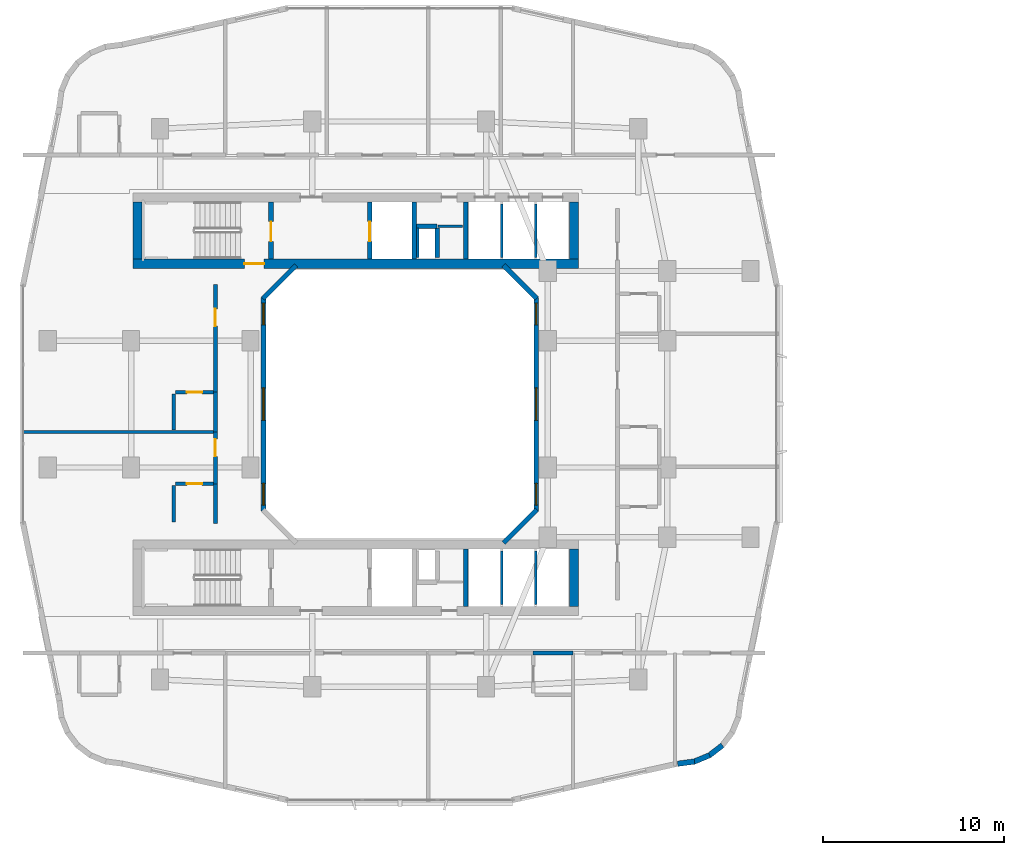
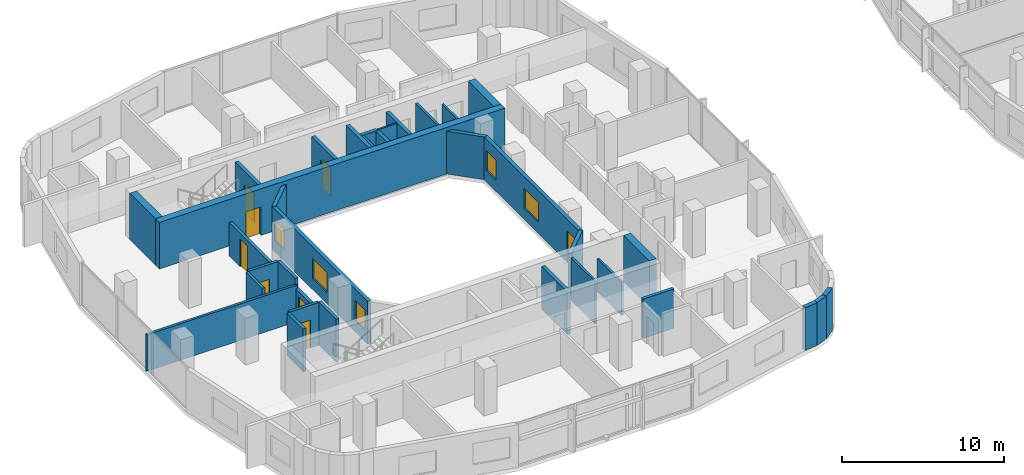
# One storey, part 14 of 27: 35 walls, 7 doors, 6 windows, 13 openings.
"""IFC4 building model written with IfcOpenShell, lengths in metres."""

from ifc_helpers import new_model, si_unit, derived_unit, direction, frame, frame_2d, origin, place, context, subcontext, project, spatial, rectangle, extrude, material, layer, layer_set, type_object, element, fill, save


model = new_model("IFC4")

# Units and contexts
model_context = context("Model", 3, precision=1e-05, world=origin(), true_north=direction((0.0, 1.0)))
body_context = subcontext(model_context, "Body", "Model", "MODEL_VIEW")
ifc_project = project(units=[si_unit("LENGTHUNIT", "METRE"), si_unit("AREAUNIT", "SQUARE_METRE"), si_unit("VOLUMEUNIT", "CUBIC_METRE"), si_unit("PLANEANGLEUNIT", "RADIAN"), si_unit("MASSUNIT", "GRAM", prefix="KILO"), derived_unit("THERMALTRANSMITTANCEUNIT", [(si_unit("POWERUNIT", "WATT"), 1), (si_unit("LENGTHUNIT", "METRE"), -2), (si_unit("THERMODYNAMICTEMPERATUREUNIT", "KELVIN"), -1)])], contexts=[model_context])

# Site, building, storey
site_placement = place(None, origin())
site = spatial("IfcSite", under=ifc_project, at=site_placement, CompositionType="ELEMENT")
building_placement = place(site_placement, origin())
building = spatial("IfcBuilding", under=site, at=building_placement, Name="Kivonza Crest Hotel", CompositionType="ELEMENT")
storey_placement = place(building_placement, frame((0.0, 0.0, 73.0)))
storey = spatial("IfcBuildingStorey", under=building, at=storey_placement, Name="L19", CompositionType="ELEMENT", Elevation=73.0)

# Walls
ifc_material_1 = material(Name="High-density acoustic masonry inter-tenancy wall", Category="masonry")
ifc_layer_1 = layer(ifc_material_1, 0.179931640625)
ifc_layer_set_1 = layer_set([ifc_layer_1], Name="High-density acoustic masonry inter-tenancy wall")
wall_type_1 = type_object("IfcWallType", Name="WL-ACOU-180", PredefinedType="SOLIDWALL", material=ifc_layer_set_1)
wall_1_placement = place(storey_placement, frame((0.139892578125, 23.4599609375, 0.0), z_axis=(0.0, 0.0, 1.0), x_axis=(1.0, 0.0, 0.0)))
element("IfcWall", 1, at=wall_1_placement, inside=storey, type_object=wall_type_1, Name="L19 interior partition WA-L19-T1W-DIV1", PredefinedType="SOLIDWALL", context=body_context, shape_type="SweptSolid", body=[
    extrude(rectangle(XDim=10.710205078125, YDim=0.179931640625, at=frame_2d((5.35498046875, 0.0))), origin(), (0.0, 0.0, 1.0), 2.7451171875),
])
ifc_material_2 = material(Name="Autoclaved aerated concrete blockwork", Category="masonry")
ifc_layer_2 = layer(ifc_material_2, 0.219970703125)
ifc_layer_set_2 = layer_set([ifc_layer_2], Name="Autoclaved aerated concrete blockwork")
wall_type_2 = type_object("IfcWallType", Name="WL-ACOU-220", PredefinedType="SOLIDWALL", material=ifc_layer_set_2)
wall_2_placement = place(storey_placement, frame((28.39990234375, 11.25, 0.0), z_axis=(0.0, 0.0, 1.0), x_axis=(1.0, 0.0, 0.0)))
element("IfcWall", 2, at=wall_2_placement, inside=storey, type_object=wall_type_2, Name="L19 interior partition WA-L19-S03-BCORR", PredefinedType="SOLIDWALL", context=body_context, shape_type="SweptSolid", body=[
    extrude(rectangle(XDim=2.2001953125, YDim=0.219970703125, at=frame_2d((1.10009765625, 0.0))), origin(), (0.0, 0.0, 1.0), 2.955078125),
])
wall_3_placement = place(storey_placement, frame((10.85009765625, 18.39990234375, 0.0), z_axis=(0.0, 0.0, 1.0), x_axis=(0.0, 1.0, 0.0)))
element("IfcWall", 3, at=wall_3_placement, inside=storey, type_object=wall_type_2, Name="L19 interior partition WA-L19-W04-BCORR", PredefinedType="SOLIDWALL", context=body_context, shape_type="SweptSolid", body=[
    extrude(rectangle(XDim=2.2001953125, YDim=0.219970703125, at=frame_2d((1.10009765625, 0.0))), origin(), (0.0, 0.0, 1.0), 3.219970703125),
])

# Wall, opening, door
wall_4_placement = place(storey_placement, frame((10.85009765625, 20.60009765625, 0.0), z_axis=(0.0, 0.0, 1.0), x_axis=(0.0, 1.0, 0.0)))
wall_4 = element("IfcWall", 4, at=wall_4_placement, inside=storey, type_object=wall_type_2, Name="L19 interior partition WA-L19-W04-MCORR", PredefinedType="SOLIDWALL", context=body_context, shape_type="SweptSolid", body=[
    extrude(rectangle(XDim=2.85986328125, YDim=0.219970703125, at=frame_2d((1.429931640625, 0.0))), origin(), (0.0, 0.0, 1.0), 2.4951171875),
])
opening_1_placement = place(wall_4_placement, frame((1.514892578125, 0.0, 0.0)))
opening_1 = element("IfcOpeningElement", 5, at=opening_1_placement, cuts=wall_4, Name="Opening DU-60", PredefinedType="OPENING", context=body_context, shape_type="SweptSolid", body=[
    extrude(rectangle(XDim=0.949951171875, YDim=2.10009765625, at=frame_2d((0.47509765625, 1.050048828125))), frame((0.0, 0.1201171875, 0.0), z_axis=(0.0, -1.0, 0.0), x_axis=(1.0, 0.0, 0.0)), (0.0, 0.0, 1.0), 0.239990234375),
])
ifc_material_3 = material(Name="Hardwood timber oak", Category="wood")
door_type_1 = type_object("IfcDoorType", Name="DR-UNIT-950", OperationType="NOTDEFINED", PredefinedType="DOOR", material=ifc_material_3)
door_1_placement = place(opening_1_placement, origin())
door_1 = element("IfcDoor", 6, at=door_1_placement, inside=storey, type_object=door_type_1, Name="L19 W04 guest unit entrance fire door", OperationType="SINGLE_SWING_RIGHT", OverallHeight=2.10009765625, OverallWidth=0.949951171875, PredefinedType="DOOR", context=body_context, shape_type="SweptSolid", body=[
    extrude(rectangle(XDim=0.949951171875, YDim=2.10009765625, at=frame_2d((0.47509765625, 1.050048828125))), frame((0.0, 0.02490234375, 0.0), z_axis=(0.0, -1.0, 0.0), x_axis=(1.0, 0.0, 0.0)), (0.0, 0.0, 1.0), 0.050048828125),
])
fill(opening_1, door_1)

# Wall
wall_5_placement = place(storey_placement, frame((10.85009765625, 23.4599609375, 0.0), z_axis=(0.0, 0.0, 1.0), x_axis=(0.0, 1.0, 0.0)))
element("IfcWall", 7, at=wall_5_placement, inside=storey, type_object=wall_type_2, Name="L19 interior partition WA-L19-W05-BCORR", PredefinedType="SOLIDWALL", context=body_context, shape_type="SweptSolid", body=[
    extrude(rectangle(XDim=2.199951171875, YDim=0.219970703125, at=frame_2d((1.10009765625, 0.0))), origin(), (0.0, 0.0, 1.0), 3.219970703125),
])

# Wall, opening, door
wall_6_placement = place(storey_placement, frame((10.85009765625, 25.659912109375, 0.0), z_axis=(0.0, 0.0, 1.0), x_axis=(0.0, 1.0, 0.0)))
wall_6 = element("IfcWall", 8, at=wall_6_placement, inside=storey, type_object=wall_type_2, Name="L19 interior partition WA-L19-W05-MCORR", PredefinedType="SOLIDWALL", context=body_context, shape_type="SweptSolid", body=[
    extrude(rectangle(XDim=5.940185546875, YDim=0.219970703125, at=frame_2d((2.97021484375, 0.0))), origin(), (0.0, 0.0, 1.0), 2.4951171875),
])
opening_2_placement = place(wall_6_placement, frame((3.64501953125, 0.0, 0.0)))
opening_2 = element("IfcOpeningElement", 9, at=opening_2_placement, cuts=wall_6, Name="Opening DU-60", PredefinedType="OPENING", context=body_context, shape_type="SweptSolid", body=[
    extrude(rectangle(XDim=0.949951171875, YDim=2.10009765625, at=frame_2d((0.47509765625, 1.050048828125))), frame((0.0, 0.1201171875, 0.0), z_axis=(0.0, -1.0, 0.0), x_axis=(1.0, 0.0, 0.0)), (0.0, 0.0, 1.0), 0.239990234375),
])
door_2_placement = place(opening_2_placement, origin())
door_2 = element("IfcDoor", 10, at=door_2_placement, inside=storey, type_object=door_type_1, Name="L19 W05 guest unit entrance fire door", OperationType="SINGLE_SWING_LEFT", OverallHeight=2.10009765625, OverallWidth=0.949951171875, PredefinedType="DOOR", context=body_context, shape_type="SweptSolid", body=[
    extrude(rectangle(XDim=0.949951171875, YDim=2.10009765625, at=frame_2d((0.47509765625, 1.050048828125))), frame((0.0, 0.02490234375, 0.0), z_axis=(0.0, -1.0, 0.0), x_axis=(1.0, 0.0, 0.0)), (0.0, 0.0, 1.0), 0.050048828125),
])
fill(opening_2, door_2)

ifc_material_4 = material(Name="Concrete C60/75", Category="concrete")
ifc_layer_3 = layer(ifc_material_4, 0.5)
ifc_layer_set_3 = layer_set([ifc_layer_3], Name="Concrete C60/75")
wall_type_3 = type_object("IfcWallType", Name="WL-CORE-500", PredefinedType="SHEAR", material=ifc_layer_set_3)
wall_7_placement = place(storey_placement, frame((6.300048828125, 32.75, 0.0), z_axis=(0.0, 0.0, 1.0), x_axis=(1.0, 0.0, 0.0)))
wall_7 = element("IfcWall", 11, at=wall_7_placement, inside=storey, type_object=wall_type_3, Name="Core wall T1-N South L19", PredefinedType="SHEAR", context=body_context, shape_type="SweptSolid", body=[
    extrude(rectangle(XDim=24.599853515625, YDim=0.5, at=frame_2d((12.2998046875, 0.0))), origin(), (0.0, 0.0, 1.0), 3.5),
])
opening_3_placement = place(wall_7_placement, frame((6.14990234375, 0.0, 0.0)))
opening_3 = element("IfcOpeningElement", 12, at=opening_3_placement, cuts=wall_7, Name="Opening DF-120", PredefinedType="OPENING", context=body_context, shape_type="SweptSolid", body=[
    extrude(rectangle(XDim=1.10009765625, YDim=2.14990234375, at=frame_2d((0.550048828125, 1.074951171875))), frame((0.0, 0.260009765625, 0.0), z_axis=(0.0, -1.0, 0.0), x_axis=(1.0, 0.0, 0.0)), (0.0, 0.0, 1.0), 0.52001953125),
])
ifc_material_5 = material(Name="Galvanised steel", Category="steel")
door_type_2 = type_object("IfcDoorType", Name="DR-FD120-1100", OperationType="NOTDEFINED", PredefinedType="DOOR", material=ifc_material_5)
door_3_placement = place(opening_3_placement, origin())
door_3 = element("IfcDoor", 13, at=door_3_placement, inside=storey, type_object=door_type_2, Name="L19 West corridor stair access fire door", OperationType="SINGLE_SWING_LEFT", OverallHeight=2.14990234375, OverallWidth=1.10009765625, PredefinedType="DOOR", context=body_context, shape_type="SweptSolid", body=[
    extrude(rectangle(XDim=1.10009765625, YDim=2.14990234375, at=frame_2d((0.550048828125, 1.074951171875))), frame((0.0, 0.02490234375, 0.0), z_axis=(0.0, -1.0, 0.0), x_axis=(1.0, 0.0, 0.0)), (0.0, 0.0, 1.0), 0.050048828125),
])
fill(opening_3, door_3)

# Walls
for number, where, z_axis, x_axis, name in (
    (14, (6.550048828125, 33.0, 0.0), (0.0, 0.0, 1.0), (0.0, 1.0, 0.0), "Core wall T1-N West L19"),
    (15, (30.64990234375, 33.0, 0.0), (0.0, 0.0, 1.0), (0.0, 1.0, 0.0), "Core wall T1-N East L19"),
    (16, (30.64990234375, 13.840087890625, 0.0), (0.0, 0.0, 1.0), (0.0, 1.0, 0.0), "Core wall T1-S East L19"),
):
    element("IfcWall", number, at=place(storey_placement, frame(where, z_axis=z_axis, x_axis=x_axis)), inside=storey, type_object=wall_type_3, Name=name, PredefinedType="SHEAR", context=body_context, shape_type="SweptSolid", body=[
        extrude(rectangle(XDim=3.159912109375, YDim=0.5, at=frame_2d((1.580078125, 0.0))), origin(), (0.0, 0.0, 1.0), 3.5),
    ])
ifc_material_6 = material(Name="Precast concrete C40/50", Category="concrete")
ifc_layer_4 = layer(ifc_material_6, 0.260009765625)
ifc_layer_set_4 = layer_set([ifc_layer_4], Name="Precast concrete C40/50")
wall_type_4 = type_object("IfcWallType", Name="WL-EXT-260", PredefinedType="STANDARD", material=ifc_layer_set_4)
wall_8_placement = place(storey_placement, frame((26.761962890625, 17.337890625, 0.0), z_axis=(0.0, 0.0, 1.0), x_axis=(0.707059717605, 0.707153841636, 0.0)))
element("IfcWall", 17, at=wall_8_placement, inside=storey, type_object=wall_type_4, Name="L19 T1 light-well exterior wall 2", PredefinedType="STANDARD", context=body_context, shape_type="SweptSolid", body=[
    extrude(rectangle(XDim=2.59375, YDim=0.260009765625, at=frame_2d((1.296875, 0.0))), origin(), (0.0, 0.0, 1.0), 3.219970703125),
])

# Wall, openings, windows
wall_9_placement = place(storey_placement, frame((28.570068359375, 19.110107421875, 0.0), z_axis=(0.0, 0.0, 1.0), x_axis=(0.0, 1.0, 0.0)))
wall_9 = element("IfcWall", 18, at=wall_9_placement, inside=storey, type_object=wall_type_4, Name="L19 T1 light-well exterior wall 3", PredefinedType="STANDARD", context=body_context, shape_type="SweptSolid", body=[
    extrude(rectangle(XDim=11.77978515625, YDim=0.260009765625, at=frame_2d((5.889892578125, 0.0))), origin(), (0.0, 0.0, 1.0), 3.219970703125),
])
opening_4_placement = place(wall_9_placement, frame((0.318115234375, 0.0, 0.85009765625)))
opening_4 = element("IfcOpeningElement", 19, at=opening_4_placement, cuts=wall_9, Name="Opening WN-01", PredefinedType="OPENING", context=body_context, shape_type="SweptSolid", body=[
    extrude(rectangle(XDim=1.199951171875, YDim=1.5, at=frame_2d((0.60009765625, 0.75))), frame((0.0, 0.14013671875, 0.0), z_axis=(0.0, -1.0, 0.0), x_axis=(1.0, 0.0, 0.0)), (0.0, 0.0, 1.0), 0.280029296875),
])
opening_5_placement = place(wall_9_placement, frame((4.989990234375, 0.0, 0.85009765625)))
opening_5 = element("IfcOpeningElement", 20, at=opening_5_placement, cuts=wall_9, Name="Opening WN-03", PredefinedType="OPENING", context=body_context, shape_type="SweptSolid", body=[
    extrude(rectangle(XDim=1.800048828125, YDim=1.5, at=frame_2d((0.89990234375, 0.75))), frame((0.0, 0.14013671875, 0.0), z_axis=(0.0, -1.0, 0.0), x_axis=(1.0, 0.0, 0.0)), (0.0, 0.0, 1.0), 0.280029296875),
])
opening_6_placement = place(wall_9_placement, frame((10.262939453125, 0.0, 0.85009765625)))
opening_6 = element("IfcOpeningElement", 21, at=opening_6_placement, cuts=wall_9, Name="Opening WN-01", PredefinedType="OPENING", context=body_context, shape_type="SweptSolid", body=[
    extrude(rectangle(XDim=1.199951171875, YDim=1.5, at=frame_2d((0.60009765625, 0.75))), frame((0.0, 0.14013671875, 0.0), z_axis=(0.0, -1.0, 0.0), x_axis=(1.0, 0.0, 0.0)), (0.0, 0.0, 1.0), 0.280029296875),
])
ifc_material_7 = material(Name="Thermally broken bronze aluminium and low-E double glazing", Category="aluminium")
window_type_1 = type_object("IfcWindowType", Name="WN-120x150", PartitioningType="SINGLE_PANEL", PredefinedType="WINDOW", material=ifc_material_7)
window_1_placement = place(opening_4_placement, origin())
window_1 = element("IfcWindow", 22, at=window_1_placement, inside=storey, type_object=window_type_1, Name="L19 T1 light-well window 3 bay 1", OverallHeight=1.5, OverallWidth=1.199951171875, PartitioningType="SINGLE_PANEL", PredefinedType="WINDOW", context=body_context, shape_type="SweptSolid", body=[
    extrude(rectangle(XDim=1.199951171875, YDim=1.5, at=frame_2d((0.60009765625, 0.75))), frame((0.0, 0.030029296875, 0.0), z_axis=(0.0, -1.0, 0.0), x_axis=(1.0, 0.0, 0.0)), (0.0, 0.0, 1.0), 0.06005859375),
])
fill(opening_4, window_1)
window_2_placement = place(opening_6_placement, origin())
window_2 = element("IfcWindow", 23, at=window_2_placement, inside=storey, type_object=window_type_1, Name="L19 T1 light-well window 3 bay 3", OverallHeight=1.5, OverallWidth=1.199951171875, PartitioningType="SINGLE_PANEL", PredefinedType="WINDOW", context=body_context, shape_type="SweptSolid", body=[
    extrude(rectangle(XDim=1.199951171875, YDim=1.5, at=frame_2d((0.60009765625, 0.75))), frame((0.0, 0.030029296875, 0.0), z_axis=(0.0, -1.0, 0.0), x_axis=(1.0, 0.0, 0.0)), (0.0, 0.0, 1.0), 0.06005859375),
])
fill(opening_6, window_2)
window_type_2 = type_object("IfcWindowType", Name="WN-180x150", PartitioningType="DOUBLE_PANEL_VERTICAL", PredefinedType="WINDOW", material=ifc_material_7)
window_3_placement = place(opening_5_placement, origin())
window_3 = element("IfcWindow", 24, at=window_3_placement, inside=storey, type_object=window_type_2, Name="L19 T1 light-well window 3 bay 2", OverallHeight=1.5, OverallWidth=1.800048828125, PartitioningType="SINGLE_PANEL", PredefinedType="WINDOW", context=body_context, shape_type="SweptSolid", body=[
    extrude(rectangle(XDim=1.800048828125, YDim=1.5, at=frame_2d((0.89990234375, 0.75))), frame((0.0, 0.030029296875, 0.0), z_axis=(0.0, -1.0, 0.0), x_axis=(1.0, 0.0, 0.0)), (0.0, 0.0, 1.0), 0.06005859375),
])
fill(opening_5, window_3)

# Walls
wall_10_placement = place(storey_placement, frame((28.595947265625, 30.827880859375, 0.0), z_axis=(0.0, 0.0, 1.0), x_axis=(-0.707059717605, 0.707153841636, 0.0)))
element("IfcWall", 25, at=wall_10_placement, inside=storey, type_object=wall_type_4, Name="L19 T1 light-well exterior wall 4", PredefinedType="STANDARD", context=body_context, shape_type="SweptSolid", body=[
    extrude(rectangle(XDim=2.59375, YDim=0.260009765625, at=frame_2d((1.296875, 0.0))), origin(), (0.0, 0.0, 1.0), 3.219970703125),
])
wall_11_placement = place(storey_placement, frame((15.318115234375, 32.662109375, 0.0), z_axis=(0.0, 0.0, 1.0), x_axis=(-0.707106781187, -0.707106781187, 0.0)))
element("IfcWall", 26, at=wall_11_placement, inside=storey, type_object=wall_type_4, Name="L19 T1 light-well exterior wall 6", PredefinedType="STANDARD", context=body_context, shape_type="SweptSolid", body=[
    extrude(rectangle(XDim=2.593994140625, YDim=0.260009765625, at=frame_2d((1.296875, 0.0))), origin(), (0.0, 0.0, 1.0), 3.219970703125),
])

# Wall, openings, windows
wall_12_placement = place(storey_placement, frame((13.510009765625, 30.889892578125, 0.0), z_axis=(0.0, 0.0, 1.0), x_axis=(0.0, -1.0, 0.0)))
wall_12 = element("IfcWall", 27, at=wall_12_placement, inside=storey, type_object=wall_type_4, Name="L19 T1 light-well exterior wall 7", PredefinedType="STANDARD", context=body_context, shape_type="SweptSolid", body=[
    extrude(rectangle(XDim=11.77978515625, YDim=0.260009765625, at=frame_2d((5.889892578125, 0.0))), origin(), (0.0, 0.0, 1.0), 3.219970703125),
])
opening_7_placement = place(wall_12_placement, frame((0.318115234375, 0.0, 0.85009765625)))
opening_7 = element("IfcOpeningElement", 28, at=opening_7_placement, cuts=wall_12, Name="Opening WN-01", PredefinedType="OPENING", context=body_context, shape_type="SweptSolid", body=[
    extrude(rectangle(XDim=1.199951171875, YDim=1.5, at=frame_2d((0.60009765625, 0.75))), frame((0.0, 0.14013671875, 0.0), z_axis=(0.0, -1.0, 0.0), x_axis=(1.0, 0.0, 0.0)), (0.0, 0.0, 1.0), 0.280029296875),
])
opening_8_placement = place(wall_12_placement, frame((4.989990234375, 0.0, 0.85009765625)))
opening_8 = element("IfcOpeningElement", 29, at=opening_8_placement, cuts=wall_12, Name="Opening WN-03", PredefinedType="OPENING", context=body_context, shape_type="SweptSolid", body=[
    extrude(rectangle(XDim=1.800048828125, YDim=1.5, at=frame_2d((0.89990234375, 0.75))), frame((0.0, 0.14013671875, 0.0), z_axis=(0.0, -1.0, 0.0), x_axis=(1.0, 0.0, 0.0)), (0.0, 0.0, 1.0), 0.280029296875),
])
opening_9_placement = place(wall_12_placement, frame((10.262939453125, 0.0, 0.85009765625)))
opening_9 = element("IfcOpeningElement", 30, at=opening_9_placement, cuts=wall_12, Name="Opening WN-01", PredefinedType="OPENING", context=body_context, shape_type="SweptSolid", body=[
    extrude(rectangle(XDim=1.199951171875, YDim=1.5, at=frame_2d((0.60009765625, 0.75))), frame((0.0, 0.14013671875, 0.0), z_axis=(0.0, -1.0, 0.0), x_axis=(1.0, 0.0, 0.0)), (0.0, 0.0, 1.0), 0.280029296875),
])
window_4_placement = place(opening_7_placement, origin())
window_4 = element("IfcWindow", 31, at=window_4_placement, inside=storey, type_object=window_type_1, Name="L19 T1 light-well window 7 bay 1", OverallHeight=1.5, OverallWidth=1.199951171875, PartitioningType="SINGLE_PANEL", PredefinedType="WINDOW", context=body_context, shape_type="SweptSolid", body=[
    extrude(rectangle(XDim=1.199951171875, YDim=1.5, at=frame_2d((0.60009765625, 0.75))), frame((0.0, 0.030029296875, 0.0), z_axis=(0.0, -1.0, 0.0), x_axis=(1.0, 0.0, 0.0)), (0.0, 0.0, 1.0), 0.06005859375),
])
fill(opening_7, window_4)
window_5_placement = place(opening_9_placement, origin())
window_5 = element("IfcWindow", 32, at=window_5_placement, inside=storey, type_object=window_type_1, Name="L19 T1 light-well window 7 bay 3", OverallHeight=1.5, OverallWidth=1.199951171875, PartitioningType="SINGLE_PANEL", PredefinedType="WINDOW", context=body_context, shape_type="SweptSolid", body=[
    extrude(rectangle(XDim=1.199951171875, YDim=1.5, at=frame_2d((0.60009765625, 0.75))), frame((0.0, 0.030029296875, 0.0), z_axis=(0.0, -1.0, 0.0), x_axis=(1.0, 0.0, 0.0)), (0.0, 0.0, 1.0), 0.06005859375),
])
fill(opening_9, window_5)
window_6_placement = place(opening_8_placement, origin())
window_6 = element("IfcWindow", 33, at=window_6_placement, inside=storey, type_object=window_type_2, Name="L19 T1 light-well window 7 bay 2", OverallHeight=1.5, OverallWidth=1.800048828125, PartitioningType="SINGLE_PANEL", PredefinedType="WINDOW", context=body_context, shape_type="SweptSolid", body=[
    extrude(rectangle(XDim=1.800048828125, YDim=1.5, at=frame_2d((0.89990234375, 0.75))), frame((0.0, 0.030029296875, 0.0), z_axis=(0.0, -1.0, 0.0), x_axis=(1.0, 0.0, 0.0)), (0.0, 0.0, 1.0), 0.06005859375),
])
fill(opening_8, window_6)

# Walls
ifc_layer_5 = layer(ifc_material_6, 0.300048828125)
ifc_layer_set_5 = layer_set([ifc_layer_5], Name="Precast concrete C40/50")
wall_type_5 = type_object("IfcWallType", Name="WL-EXT-300", PredefinedType="STANDARD", material=ifc_layer_set_5)
wall_13_placement = place(storey_placement, frame((36.3720703125, 5.14794921875, 0.0), z_axis=(0.0, 0.0, 1.0), x_axis=(0.991359246108, 0.131174864804, 0.0)))
element("IfcWall", 34, at=wall_13_placement, inside=storey, type_object=wall_type_5, Name="L19 T1 exterior insulated wall 10", PredefinedType="STANDARD", context=body_context, shape_type="SweptSolid", body=[
    extrude(rectangle(XDim=0.93798828125, YDim=0.300048828125, at=frame_2d((0.468994140625, 0.0))), origin(), (0.0, 0.0, 1.0), 3.219970703125),
])
wall_14_placement = place(storey_placement, frame((37.251953125, 5.251953125, 0.0), z_axis=(0.0, 0.0, 1.0), x_axis=(0.924019948111, 0.382344263057, 0.0)))
element("IfcWall", 35, at=wall_14_placement, inside=storey, type_object=wall_type_5, Name="L19 T1 exterior insulated wall 11", PredefinedType="STANDARD", context=body_context, shape_type="SweptSolid", body=[
    extrude(rectangle(XDim=0.95458984375, YDim=0.300048828125, at=frame_2d((0.477294921875, 0.0))), origin(), (0.0, 0.0, 1.0), 3.219970703125),
])
wall_15_placement = place(storey_placement, frame((38.089111328125, 5.5859375, 0.0), z_axis=(0.0, 0.0, 1.0), x_axis=(0.793573440799, 0.608474481025, 0.0)))
element("IfcWall", 36, at=wall_15_placement, inside=storey, type_object=wall_type_5, Name="L19 T1 exterior insulated wall 12", PredefinedType="STANDARD", context=body_context, shape_type="SweptSolid", body=[
    extrude(rectangle(XDim=0.954833984375, YDim=0.300048828125, at=frame_2d((0.4775390625, 0.0))), origin(), (0.0, 0.0, 1.0), 3.219970703125),
])
ifc_material_8 = material(Name="Concrete blockwork fire-compartment wall", Category="masonry")
ifc_layer_6 = layer(ifc_material_8, 0.25)
ifc_layer_set_6 = layer_set([ifc_layer_6], Name="Concrete blockwork fire-compartment wall")
wall_type_6 = type_object("IfcWallType", Name="WL-FIRE-250", PredefinedType="SOLIDWALL", material=ifc_layer_set_6)
wall_16_placement = place(storey_placement, frame((23.10009765625, 33.10009765625, 0.0), z_axis=(0.0, 0.0, 1.0), x_axis=(0.0, 1.0, 0.0)))
element("IfcWall", 37, at=wall_16_placement, inside=storey, type_object=wall_type_6, Name="L19 interior partition WA-L19-T1-N-MEPR-E", PredefinedType="SOLIDWALL", context=body_context, shape_type="SweptSolid", body=[
    extrude(rectangle(XDim=1.619873046875, YDim=0.25, at=frame_2d((0.81005859375, 0.0))), origin(), (0.0, 0.0, 1.0), 3.219970703125),
])
wall_17_placement = place(storey_placement, frame((21.949951171875, 34.820068359375, 0.0), z_axis=(0.0, 0.0, 1.0), x_axis=(1.0, 0.0, 0.0)))
element("IfcWall", 38, at=wall_17_placement, inside=storey, type_object=wall_type_6, Name="L19 interior partition WA-L19-T1-N-MEPR-H", PredefinedType="SOLIDWALL", context=body_context, shape_type="SweptSolid", body=[
    extrude(rectangle(XDim=1.150146484375, YDim=0.25, at=frame_2d((0.5751953125, 0.0))), origin(), (0.0, 0.0, 1.0), 3.219970703125),
])
ifc_material_9 = material(Name="Metal-stud gypsum board partition", Category="gypsum")
ifc_layer_7 = layer(ifc_material_9, 0.125)
ifc_layer_set_7 = layer_set([ifc_layer_7], Name="Metal-stud gypsum board partition")
wall_type_7 = type_object("IfcWallType", Name="WL-PART-125", PredefinedType="PARTITIONING", material=ifc_layer_set_7)
wall_18_placement = place(storey_placement, frame((23.14990234375, 34.820068359375, 0.0), z_axis=(0.0, 0.0, 1.0), x_axis=(1.0, 0.0, 0.0)))
element("IfcWall", 39, at=wall_18_placement, inside=storey, type_object=wall_type_7, Name="L19 interior partition WP-L19-T1-N-SV2H", PredefinedType="PARTITIONING", context=body_context, shape_type="SweptSolid", body=[
    extrude(rectangle(XDim=1.35009765625, YDim=0.125, at=frame_2d((0.675048828125, 0.0))), origin(), (0.0, 0.0, 1.0), 3.219970703125),
])
ifc_material_10 = material(Name="Twin-stud acoustic gypsum board partition", Category="gypsum")
ifc_layer_8 = layer(ifc_material_10, 0.14990234375)
ifc_layer_set_8 = layer_set([ifc_layer_8], Name="Twin-stud acoustic gypsum board partition")
wall_type_8 = type_object("IfcWallType", Name="WL-PART-150", PredefinedType="PARTITIONING", material=ifc_layer_set_8)
wall_19_placement = place(storey_placement, frame((22.030029296875, 33.10009765625, 0.0), z_axis=(0.0, 0.0, 1.0), x_axis=(0.0, 1.0, 0.0)))
element("IfcWall", 40, at=wall_19_placement, inside=storey, type_object=wall_type_8, Name="L19 interior partition WA-L19-T1-N-MEPR-W", PredefinedType="PARTITIONING", context=body_context, shape_type="SweptSolid", body=[
    extrude(rectangle(XDim=1.619873046875, YDim=0.14990234375, at=frame_2d((0.81005859375, 0.0))), origin(), (0.0, 0.0, 1.0), 3.219970703125),
])
wall_20_placement = place(storey_placement, frame((26.6669921875, 33.10009765625, 0.0), z_axis=(0.0, 0.0, 1.0), x_axis=(0.0, 1.0, 0.0)))
element("IfcWall", 41, at=wall_20_placement, inside=storey, type_object=wall_type_8, Name="L19 interior partition WP-L19-T1-N-BSH-1", PredefinedType="PARTITIONING", context=body_context, shape_type="SweptSolid", body=[
    extrude(rectangle(XDim=2.9599609375, YDim=0.14990234375, at=frame_2d((1.47998046875, 0.0))), origin(), (0.0, 0.0, 1.0), 3.219970703125),
])
wall_21_placement = place(storey_placement, frame((28.532958984375, 33.10009765625, 0.0), z_axis=(0.0, 0.0, 1.0), x_axis=(0.0, 1.0, 0.0)))
element("IfcWall", 42, at=wall_21_placement, inside=storey, type_object=wall_type_8, Name="L19 interior partition WP-L19-T1-N-BSH-2", PredefinedType="PARTITIONING", context=body_context, shape_type="SweptSolid", body=[
    extrude(rectangle(XDim=2.9599609375, YDim=0.14990234375, at=frame_2d((1.47998046875, 0.0))), origin(), (0.0, 0.0, 1.0), 2.4951171875),
])
wall_22_placement = place(storey_placement, frame((26.6669921875, 13.93994140625, 0.0), z_axis=(0.0, 0.0, 1.0), x_axis=(0.0, 1.0, 0.0)))
element("IfcWall", 43, at=wall_22_placement, inside=storey, type_object=wall_type_8, Name="L19 interior partition WP-L19-T1-S-BSH-1", PredefinedType="PARTITIONING", context=body_context, shape_type="SweptSolid", body=[
    extrude(rectangle(XDim=2.9599609375, YDim=0.14990234375, at=frame_2d((1.47998046875, 0.0))), origin(), (0.0, 0.0, 1.0), 3.219970703125),
])
wall_23_placement = place(storey_placement, frame((28.532958984375, 13.93994140625, 0.0), z_axis=(0.0, 0.0, 1.0), x_axis=(0.0, 1.0, 0.0)))
element("IfcWall", 44, at=wall_23_placement, inside=storey, type_object=wall_type_8, Name="L19 interior partition WP-L19-T1-S-BSH-2", PredefinedType="PARTITIONING", context=body_context, shape_type="SweptSolid", body=[
    extrude(rectangle(XDim=2.9599609375, YDim=0.14990234375, at=frame_2d((1.47998046875, 0.0))), origin(), (0.0, 0.0, 1.0), 2.4951171875),
])

# Wall, opening, door
ifc_material_11 = material(Name="Moisture-resistant plumbing chase partition wall", Category="gypsum")
ifc_layer_9 = layer(ifc_material_11, 0.199951171875)
ifc_layer_set_9 = layer_set([ifc_layer_9], Name="Moisture-resistant plumbing chase partition wall")
wall_type_9 = type_object("IfcWallType", Name="WL-PLUMB-200", PredefinedType="PLUMBINGWALL", material=ifc_layer_set_9)
wall_24_placement = place(storey_placement, frame((8.64990234375, 20.60009765625, 0.0), z_axis=(0.0, 0.0, 1.0), x_axis=(1.0, 0.0, 0.0)))
wall_24 = element("IfcWall", 45, at=wall_24_placement, inside=storey, type_object=wall_type_9, Name="L19 interior partition WW-L19-W04-BH", PredefinedType="PLUMBINGWALL", context=body_context, shape_type="SweptSolid", body=[
    extrude(rectangle(XDim=2.10009765625, YDim=0.199951171875, at=frame_2d((1.050048828125, 0.0))), origin(), (0.0, 0.0, 1.0), 3.219970703125),
])
opening_10_placement = place(wall_24_placement, frame((0.625, 0.0, 0.0)))
opening_10 = element("IfcOpeningElement", 46, at=opening_10_placement, cuts=wall_24, Name="Opening DI-85", PredefinedType="OPENING", context=body_context, shape_type="SweptSolid", body=[
    extrude(rectangle(XDim=0.85009765625, YDim=2.10009765625, at=frame_2d((0.425048828125, 1.050048828125))), frame((0.0, 0.10986328125, 0.0), z_axis=(0.0, -1.0, 0.0), x_axis=(1.0, 0.0, 0.0)), (0.0, 0.0, 1.0), 0.219970703125),
])
door_type_3 = type_object("IfcDoorType", Name="DR-INT-850", OperationType="NOTDEFINED", PredefinedType="DOOR", material=ifc_material_3)
door_4_placement = place(opening_10_placement, origin())
door_4 = element("IfcDoor", 47, at=door_4_placement, inside=storey, type_object=door_type_3, Name="L19 W04 en-suite bathroom door", OperationType="SINGLE_SWING_LEFT", OverallHeight=2.10009765625, OverallWidth=0.85009765625, PredefinedType="DOOR", context=body_context, shape_type="SweptSolid", body=[
    extrude(rectangle(XDim=0.85009765625, YDim=2.10009765625, at=frame_2d((0.425048828125, 1.050048828125))), frame((0.0, 0.02490234375, 0.0), z_axis=(0.0, -1.0, 0.0), x_axis=(1.0, 0.0, 0.0)), (0.0, 0.0, 1.0), 0.050048828125),
])
fill(opening_10, door_4)

# Wall
wall_25_placement = place(storey_placement, frame((8.550048828125, 18.5, 0.0), z_axis=(0.0, 0.0, 1.0), x_axis=(0.0, 1.0, 0.0)))
element("IfcWall", 48, at=wall_25_placement, inside=storey, type_object=wall_type_9, Name="L19 interior partition WW-L19-W04-BV", PredefinedType="PLUMBINGWALL", context=body_context, shape_type="SweptSolid", body=[
    extrude(rectangle(XDim=2.0, YDim=0.199951171875, at=frame_2d((1.0, 0.0))), origin(), (0.0, 0.0, 1.0), 3.219970703125),
])

# Wall, opening, door
wall_26_placement = place(storey_placement, frame((8.64990234375, 25.659912109375, 0.0), z_axis=(0.0, 0.0, 1.0), x_axis=(1.0, 0.0, 0.0)))
wall_26 = element("IfcWall", 49, at=wall_26_placement, inside=storey, type_object=wall_type_9, Name="L19 interior partition WW-L19-W05-BH", PredefinedType="PLUMBINGWALL", context=body_context, shape_type="SweptSolid", body=[
    extrude(rectangle(XDim=2.10009765625, YDim=0.199951171875, at=frame_2d((1.050048828125, 0.0))), origin(), (0.0, 0.0, 1.0), 3.219970703125),
])
opening_11_placement = place(wall_26_placement, frame((0.625, 0.0, 0.0)))
opening_11 = element("IfcOpeningElement", 50, at=opening_11_placement, cuts=wall_26, Name="Opening DI-85", PredefinedType="OPENING", context=body_context, shape_type="SweptSolid", body=[
    extrude(rectangle(XDim=0.85009765625, YDim=2.10009765625, at=frame_2d((0.425048828125, 1.050048828125))), frame((0.0, 0.10986328125, 0.0), z_axis=(0.0, -1.0, 0.0), x_axis=(1.0, 0.0, 0.0)), (0.0, 0.0, 1.0), 0.219970703125),
])
door_5_placement = place(opening_11_placement, origin())
door_5 = element("IfcDoor", 51, at=door_5_placement, inside=storey, type_object=door_type_3, Name="L19 W05 en-suite bathroom door", OperationType="SINGLE_SWING_RIGHT", OverallHeight=2.10009765625, OverallWidth=0.85009765625, PredefinedType="DOOR", context=body_context, shape_type="SweptSolid", body=[
    extrude(rectangle(XDim=0.85009765625, YDim=2.10009765625, at=frame_2d((0.425048828125, 1.050048828125))), frame((0.0, 0.02490234375, 0.0), z_axis=(0.0, -1.0, 0.0), x_axis=(1.0, 0.0, 0.0)), (0.0, 0.0, 1.0), 0.050048828125),
])
fill(opening_11, door_5)

# Wall
wall_27_placement = place(storey_placement, frame((8.550048828125, 23.56005859375, 0.0), z_axis=(0.0, 0.0, 1.0), x_axis=(0.0, 1.0, 0.0)))
element("IfcWall", 52, at=wall_27_placement, inside=storey, type_object=wall_type_9, Name="L19 interior partition WW-L19-W05-BV", PredefinedType="PLUMBINGWALL", context=body_context, shape_type="SweptSolid", body=[
    extrude(rectangle(XDim=2.0, YDim=0.199951171875, at=frame_2d((1.0, 0.0))), origin(), (0.0, 0.0, 1.0), 3.219970703125),
])

# Wall, opening, door
ifc_material_12 = material(Name="Concrete C50/60", Category="concrete")
ifc_layer_10 = layer(ifc_material_12, 0.25)
ifc_layer_set_10 = layer_set([ifc_layer_10], Name="Concrete C50/60")
wall_type_10 = type_object("IfcWallType", Name="WL-SHAFT-250", PredefinedType="STANDARD", material=ifc_layer_set_10)
wall_28_placement = place(storey_placement, frame((13.925048828125, 33.0, 0.0), z_axis=(0.0, 0.0, 1.0), x_axis=(0.0, 1.0, 0.0)))
wall_28 = element("IfcWall", 53, at=wall_28_placement, inside=storey, type_object=wall_type_10, Name="Core shaft wall T1-N STAIR L19", PredefinedType="STANDARD", context=body_context, shape_type="SweptSolid", body=[
    extrude(rectangle(XDim=3.159912109375, YDim=0.25, at=frame_2d((1.580078125, 0.0))), origin(), (0.0, 0.0, 1.0), 3.219970703125),
])
opening_12_placement = place(wall_28_placement, frame((0.97998046875, 0.0, 0.0)))
opening_12 = element("IfcOpeningElement", 54, at=opening_12_placement, cuts=wall_28, Name="Opening DF-120", PredefinedType="OPENING", context=body_context, shape_type="SweptSolid", body=[
    extrude(rectangle(XDim=1.10009765625, YDim=2.14990234375, at=frame_2d((0.550048828125, 1.074951171875))), frame((0.0, 0.135009765625, 0.0), z_axis=(0.0, -1.0, 0.0), x_axis=(1.0, 0.0, 0.0)), (0.0, 0.0, 1.0), 0.27001953125),
])
door_6_placement = place(opening_12_placement, frame((1.10009765625, 0.0, 0.0), z_axis=(0.0, 0.0, 1.0), x_axis=(-1.0, 0.0, 0.0)))
door_6 = element("IfcDoor", 55, at=door_6_placement, inside=storey, type_object=door_type_2, Name="L19 T1-N stair fire door", OperationType="SINGLE_SWING_LEFT", OverallHeight=2.14990234375, OverallWidth=1.10009765625, PredefinedType="DOOR", context=body_context, shape_type="SweptSolid", body=[
    extrude(rectangle(XDim=1.10009765625, YDim=2.14990234375, at=frame_2d((0.550048828125, 1.074951171875))), frame((0.0, 0.02490234375, 0.0), z_axis=(0.0, -1.0, 0.0), x_axis=(1.0, 0.0, 0.0)), (0.0, 0.0, 1.0), 0.050048828125),
])
fill(opening_12, door_6)

wall_29_placement = place(storey_placement, frame((19.375, 33.0, 0.0), z_axis=(0.0, 0.0, 1.0), x_axis=(0.0, 1.0, 0.0)))
wall_29 = element("IfcWall", 56, at=wall_29_placement, inside=storey, type_object=wall_type_10, Name="Core shaft wall T1-N FFL-W L19", PredefinedType="STANDARD", context=body_context, shape_type="SweptSolid", body=[
    extrude(rectangle(XDim=3.159912109375, YDim=0.25, at=frame_2d((1.580078125, 0.0))), origin(), (0.0, 0.0, 1.0), 3.219970703125),
])
opening_13_placement = place(wall_29_placement, frame((0.97998046875, 0.0, 0.0)))
opening_13 = element("IfcOpeningElement", 57, at=opening_13_placement, cuts=wall_29, Name="Opening LD-120", PredefinedType="OPENING", context=body_context, shape_type="SweptSolid", body=[
    extrude(rectangle(XDim=1.10009765625, YDim=2.14990234375, at=frame_2d((0.550048828125, 1.074951171875))), frame((0.0, 0.135009765625, 0.0), z_axis=(0.0, -1.0, 0.0), x_axis=(1.0, 0.0, 0.0)), (0.0, 0.0, 1.0), 0.27001953125),
])
ifc_material_13 = material(Name="Stainless steel", Category="steel")
door_type_4 = type_object("IfcDoorType", Name="DR-LD120-1100", OperationType="NOTDEFINED", PredefinedType="DOOR", material=ifc_material_13)
door_7_placement = place(opening_13_placement, origin())
door_7 = element("IfcDoor", 58, at=door_7_placement, inside=storey, type_object=door_type_4, Name="L19 FFL-T1-N firefighting lift sliding landing door", OperationType="DOUBLE_DOOR_SLIDING", OverallHeight=2.14990234375, OverallWidth=1.10009765625, PredefinedType="DOOR", context=body_context, shape_type="SweptSolid", body=[
    extrude(rectangle(XDim=1.10009765625, YDim=2.14990234375, at=frame_2d((0.550048828125, 1.074951171875))), frame((0.0, 0.02490234375, 0.0), z_axis=(0.0, -1.0, 0.0), x_axis=(1.0, 0.0, 0.0)), (0.0, 0.0, 1.0), 0.050048828125),
])
fill(opening_13, door_7)

# Walls
for number, where, z_axis, x_axis, name in (
    (59, (21.824951171875, 33.0, 0.0), (0.0, 0.0, 1.0), (0.0, 1.0, 0.0), "Core shaft wall T1-N FFL-E L19"),
    (60, (24.675048828125, 33.0, 0.0), (0.0, 0.0, 1.0), (0.0, 1.0, 0.0), "Core shaft wall T1-N BANK-W L19"),
    (61, (24.675048828125, 13.840087890625, 0.0), (0.0, 0.0, 1.0), (0.0, 1.0, 0.0), "Core shaft wall T1-S BANK-W L19"),
):
    element("IfcWall", number, at=place(storey_placement, frame(where, z_axis=z_axis, x_axis=x_axis)), inside=storey, type_object=wall_type_10, Name=name, PredefinedType="STANDARD", context=body_context, shape_type="SweptSolid", body=[
        extrude(rectangle(XDim=3.159912109375, YDim=0.25, at=frame_2d((1.580078125, 0.0))), origin(), (0.0, 0.0, 1.0), 3.219970703125),
    ])

save(model, "model.ifc")
